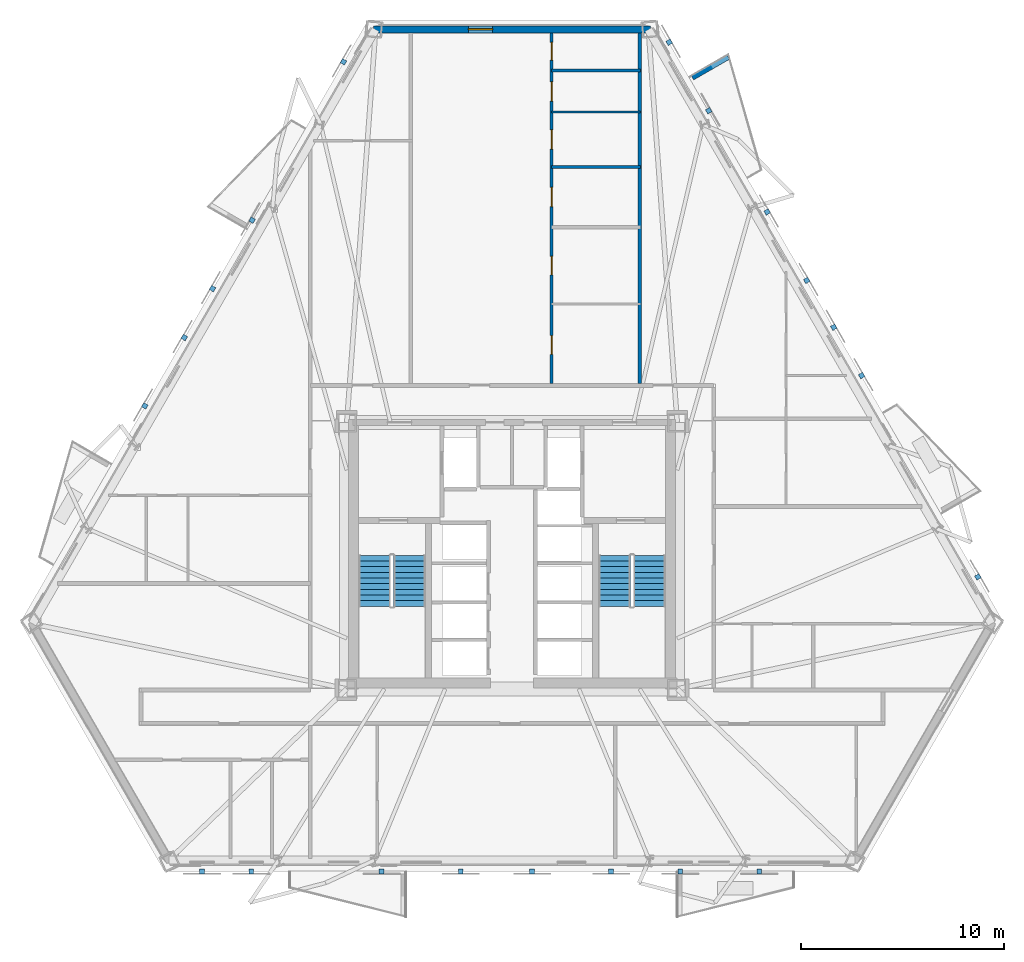
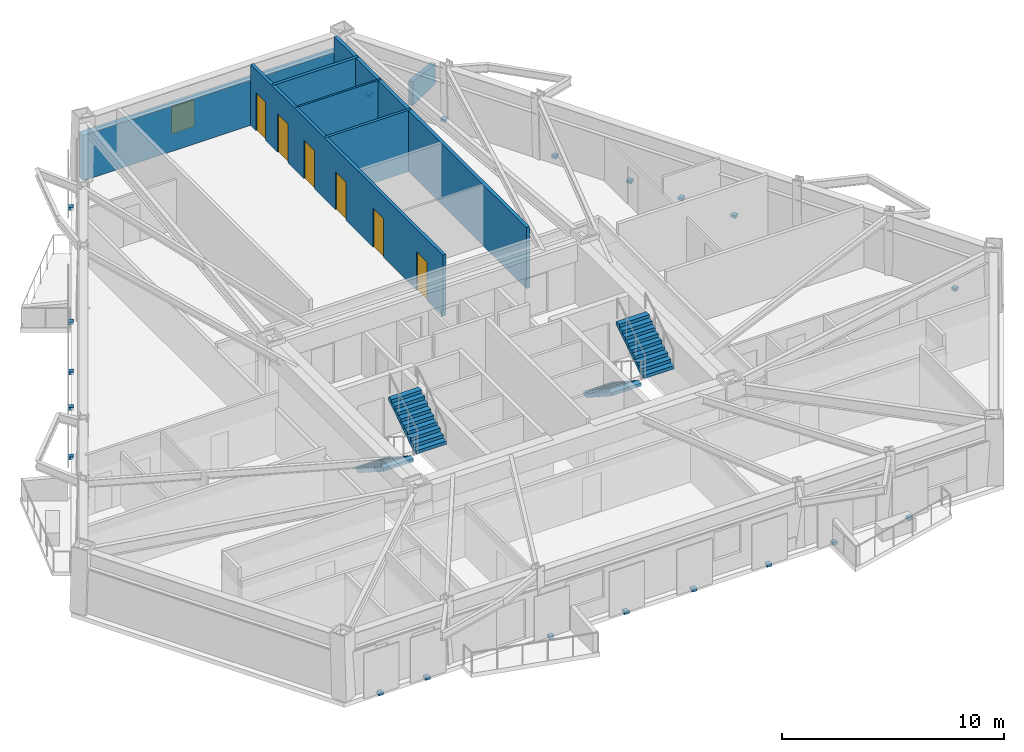
# One storey, part 6 of 10: 20 discrete accessories, 7 walls, 6 doors, 4 stair flights, 1 window, 7 openings, 2 elements without a shape of their own.
"""IFC4 building model written with IfcOpenShell, lengths in metres."""

from ifc_helpers import new_model, si_unit, direction, frame, frame_2d, origin, origin_2d, place, context, subcontext, project, spatial, polyline, rectangle, outline, extrude, material, layer, layer_set, type_object, element, fill, aggregate, save


model = new_model("IFC4")

# Units and contexts
model_context = context("Model", 3, precision=1e-05, world=origin(), true_north=direction((0.0, 1.0)))
body_context = subcontext(model_context, "Body", "Model", "MODEL_VIEW")
ifc_project = project(units=[si_unit("LENGTHUNIT", "METRE"), si_unit("AREAUNIT", "SQUARE_METRE"), si_unit("VOLUMEUNIT", "CUBIC_METRE"), si_unit("PLANEANGLEUNIT", "RADIAN"), si_unit("MASSUNIT", "GRAM", prefix="KILO")], contexts=[model_context])

# Site, building, storey
site_placement = place(None, origin())
site = spatial("IfcSite", under=ifc_project, at=site_placement, CompositionType="ELEMENT")
building_placement = place(site_placement, origin())
building = spatial("IfcBuilding", under=site, at=building_placement, Name="Oramaril Tower", CompositionType="ELEMENT")
storey_placement = place(building_placement, frame((0.0, 0.0, 66.89990234375)))
storey = spatial("IfcBuildingStorey", under=building, at=storey_placement, Name="L17", CompositionType="ELEMENT", Elevation=66.89990234375)

# Wall, opening, window
ifc_material_1 = material(Name="Warm Cream Limestone", Category="masonry")
ifc_layer_1 = layer(ifc_material_1, 0.340087890625)
ifc_layer_set_1 = layer_set([ifc_layer_1], Name="WT-EXT34")
wall_type_1 = type_object("IfcWallType", Name="WT-EXT34", PredefinedType="SOLIDWALL", material=ifc_layer_set_1)
wall_1_placement = place(storey_placement, frame((44.330810546875, 43.537109375, 0.0), z_axis=(0.0, 0.0, 1.0), x_axis=(-1.0, 0.0, 0.0)))
wall_1 = element("IfcWall", 1, at=wall_1_placement, inside=storey, type_object=wall_type_1, Name="L17 Tower Limestone Facade Wall 5M", PredefinedType="SOLIDWALL", context=body_context, shape_type="SweptSolid", body=[
    extrude(rectangle(XDim=13.66162109375, YDim=0.340087890625, at=frame_2d((6.830810546875, 0.0))), origin(), (0.0, 0.0, 1.0), 2.494140625),
])
opening_1_placement = place(wall_1_placement, frame((7.7880859375, 0.0, 0.85009765625)))
opening_1 = element("IfcOpeningElement", 2, at=opening_1_placement, cuts=wall_1, Name="Opening WN-09", PredefinedType="OPENING", context=body_context, shape_type="SweptSolid", body=[
    extrude(rectangle(XDim=1.199951171875, YDim=1.47998046875, at=frame_2d((0.60009765625, 0.739990234375))), frame((0.0, 0.169921875, 0.0), z_axis=(0.0, -1.0, 0.0), x_axis=(1.0, 0.0, 0.0)), (0.0, 0.0, 1.0), 0.340087890625),
])
ifc_material_2 = material(Name="Coastal Low-E Insulated Glass", Category="glass")
window_type = type_object("IfcWindowType", Name="WNT-09", PartitioningType="SINGLE_PANEL", PredefinedType="WINDOW", material=ifc_material_2)
window_placement = place(opening_1_placement, origin())
window = element("IfcWindow", 3, at=window_placement, inside=storey, type_object=window_type, Name="L17 Apartment Bedroom Window WN-09", OverallHeight=1.47998046875, OverallWidth=1.199951171875, PartitioningType="SINGLE_PANEL", PredefinedType="WINDOW", context=body_context, shape_type="SweptSolid", body=[
    extrude(rectangle(XDim=1.199951171875, YDim=1.47998046875, at=frame_2d((0.60009765625, 0.739990234375))), frame((0.0, 0.030029296875, 0.0), z_axis=(0.0, -1.0, 0.0), x_axis=(1.0, 0.0, 0.0)), (0.0, 0.0, 1.0), 0.06005859375),
])
fill(opening_1, window)

# Walls
ifc_material_3 = material(Name="Concrete C40/50", Category="concrete")
ifc_layer_2 = layer(ifc_material_3, 0.22998046875)
ifc_layer_set_2 = layer_set([ifc_layer_2], Name="WT-PRP23")
wall_type_2 = type_object("IfcWallType", Name="WT-PRP23", PredefinedType="PARAPET", material=ifc_layer_set_2)
wall_2_placement = place(storey_placement, frame((46.40576171875, 41.138916015625, 0.0), z_axis=(0.0, 0.0, 1.0), x_axis=(0.866042246008, 0.499970827278, 0.0)))
element("IfcWall", 4, at=wall_2_placement, inside=storey, type_object=wall_type_2, Name="L17 Trapezoidal Balcony Frame Cheek L17-BAL-NE2-R", PredefinedType="PARAPET", context=body_context, shape_type="SweptSolid", body=[
    extrude(outline(polyline([(0.0, 0.0), (2.0419921875, 0.0), (2.0419921875, 1.10009765625), (0.0, 1.320068359375), (0.0, 0.0)])), frame((0.0, 0.114990234375, 0.0), z_axis=(0.0, -1.0, 0.0), x_axis=(1.0, 0.0, 0.0)), (0.0, 0.0, 1.0), 0.22998046875),
])
ifc_material_4 = material(Name="Acoustic Gypsum Board Partition")
ifc_layer_3 = layer(ifc_material_4, 0.10009765625)
ifc_layer_set_3 = layer_set([ifc_layer_3], Name="WT-PT10")
wall_type_3 = type_object("IfcWallType", Name="WT-PT10", PredefinedType="PARTITIONING", material=ifc_layer_set_3)
wall_3_placement = place(storey_placement, frame((39.449951171875, 39.449951171875, 0.0), z_axis=(0.0, 0.0, 1.0), x_axis=(1.0, 0.0, 0.0)))
element("IfcWall", 5, at=wall_3_placement, inside=storey, type_object=wall_type_3, Name="L17 Interior Partition PT-10", PredefinedType="PARTITIONING", context=body_context, shape_type="SweptSolid", body=[
    extrude(rectangle(XDim=4.400146484375, YDim=0.10009765625, at=frame_2d((2.2001953125, 0.0))), origin(), (0.0, 0.0, 1.0), 3.360107421875),
])
ifc_material_5 = material(Name="Acoustic Gypsum Board Partition")
ifc_layer_4 = layer(ifc_material_5, 0.139892578125)
ifc_layer_set_4 = layer_set([ifc_layer_4], Name="WT-PT14")
wall_type_4 = type_object("IfcWallType", Name="WT-PT14", PredefinedType="PARTITIONING", material=ifc_layer_set_4)
wall_4_placement = place(storey_placement, frame((39.449951171875, 36.75, 0.0), z_axis=(0.0, 0.0, 1.0), x_axis=(1.0, 0.0, 0.0)))
element("IfcWall", 6, at=wall_4_placement, inside=storey, type_object=wall_type_4, Name="L17 Interior Partition PT-14", PredefinedType="PARTITIONING", context=body_context, shape_type="SweptSolid", body=[
    extrude(rectangle(XDim=4.400146484375, YDim=0.139892578125, at=frame_2d((2.2001953125, 0.0))), origin(), (0.0, 0.0, 1.0), 3.360107421875),
])
ifc_material_6 = material(Name="Acoustic Gypsum Board Partition")
ifc_layer_5 = layer(ifc_material_6, 0.159912109375)
ifc_layer_set_5 = layer_set([ifc_layer_5], Name="WT-PT16")
wall_type_5 = type_object("IfcWallType", Name="WT-PT16", PredefinedType="PARTITIONING", material=ifc_layer_set_5)
wall_5_placement = place(storey_placement, frame((39.449951171875, 41.5, 0.0), z_axis=(0.0, 0.0, 1.0), x_axis=(1.0, 0.0, 0.0)))
element("IfcWall", 7, at=wall_5_placement, inside=storey, type_object=wall_type_5, Name="L17 Interior Partition PT-16", PredefinedType="PARTITIONING", context=body_context, shape_type="SweptSolid", body=[
    extrude(rectangle(XDim=4.400146484375, YDim=0.159912109375, at=frame_2d((2.2001953125, 0.0))), origin(), (0.0, 0.0, 1.0), 3.360107421875),
])

# Wall, openings, doors
wall_6_placement = place(storey_placement, frame((39.449951171875, 26.06396484375, 0.0), z_axis=(0.0, 0.0, 1.0), x_axis=(0.0, 1.0, 0.0)))
wall_6 = element("IfcWall", 8, at=wall_6_placement, inside=storey, type_object=wall_type_5, Name="L17 Interior Partition PT-16", PredefinedType="PARTITIONING", context=body_context, shape_type="SweptSolid", body=[
    extrude(rectangle(XDim=17.299072265625, YDim=0.159912109375, at=frame_2d((8.6494140625, 0.0))), origin(), (0.0, 0.0, 1.0), 3.360107421875),
])
opening_2_placement = place(wall_6_placement, frame((1.44189453125, 0.0, 0.0)))
opening_2 = element("IfcOpeningElement", 9, at=opening_2_placement, cuts=wall_6, Name="Opening D-L17-19", PredefinedType="OPENING", context=body_context, shape_type="SweptSolid", body=[
    extrude(rectangle(XDim=0.919921875, YDim=2.1201171875, at=frame_2d((0.4599609375, 1.06005859375))), frame((0.0, 0.080078125, 0.0), z_axis=(0.0, -1.0, 0.0), x_axis=(1.0, 0.0, 0.0)), (0.0, 0.0, 1.0), 0.159912109375),
])
opening_3_placement = place(wall_6_placement, frame((5.359130859375, 0.0, 0.0)))
opening_3 = element("IfcOpeningElement", 10, at=opening_3_placement, cuts=wall_6, Name="Opening D-L17-20", PredefinedType="OPENING", context=body_context, shape_type="SweptSolid", body=[
    extrude(rectangle(XDim=0.919921875, YDim=2.1201171875, at=frame_2d((0.4599609375, 1.06005859375))), frame((0.0, 0.080078125, 0.0), z_axis=(0.0, -1.0, 0.0), x_axis=(1.0, 0.0, 0.0)), (0.0, 0.0, 1.0), 0.159912109375),
])
opening_4_placement = place(wall_6_placement, frame((8.720947265625, 0.0, 0.0)))
opening_4 = element("IfcOpeningElement", 11, at=opening_4_placement, cuts=wall_6, Name="Opening D-L17-21", PredefinedType="OPENING", context=body_context, shape_type="SweptSolid", body=[
    extrude(rectangle(XDim=0.949951171875, YDim=2.10009765625, at=frame_2d((0.47509765625, 1.050048828125))), frame((0.0, 0.080078125, 0.0), z_axis=(0.0, -1.0, 0.0), x_axis=(1.0, 0.0, 0.0)), (0.0, 0.0, 1.0), 0.159912109375),
])
opening_5_placement = place(wall_6_placement, frame((11.557373046875, 0.0, 0.0)))
opening_5 = element("IfcOpeningElement", 12, at=opening_5_placement, cuts=wall_6, Name="Opening D-L17-22", PredefinedType="OPENING", context=body_context, shape_type="SweptSolid", body=[
    extrude(rectangle(XDim=0.949951171875, YDim=2.10009765625, at=frame_2d((0.47509765625, 1.050048828125))), frame((0.0, 0.080078125, 0.0), z_axis=(0.0, -1.0, 0.0), x_axis=(1.0, 0.0, 0.0)), (0.0, 0.0, 1.0), 0.159912109375),
])
opening_6_placement = place(wall_6_placement, frame((13.93310546875, 0.0, 0.0)))
opening_6 = element("IfcOpeningElement", 13, at=opening_6_placement, cuts=wall_6, Name="Opening D-L17-23", PredefinedType="OPENING", context=body_context, shape_type="SweptSolid", body=[
    extrude(rectangle(XDim=0.949951171875, YDim=2.10009765625, at=frame_2d((0.47509765625, 1.050048828125))), frame((0.0, 0.080078125, 0.0), z_axis=(0.0, -1.0, 0.0), x_axis=(1.0, 0.0, 0.0)), (0.0, 0.0, 1.0), 0.159912109375),
])
opening_7_placement = place(wall_6_placement, frame((15.953125, 0.0, 0.0)))
opening_7 = element("IfcOpeningElement", 14, at=opening_7_placement, cuts=wall_6, Name="Opening D-L17-24", PredefinedType="OPENING", context=body_context, shape_type="SweptSolid", body=[
    extrude(rectangle(XDim=0.8798828125, YDim=2.080078125, at=frame_2d((0.43994140625, 1.0400390625))), frame((0.0, 0.080078125, 0.0), z_axis=(0.0, -1.0, 0.0), x_axis=(1.0, 0.0, 0.0)), (0.0, 0.0, 1.0), 0.159912109375),
])
ifc_material_7 = material(Name="FSC Brazilian Freijo Hardwood", Category="wood")
door_type_1 = type_object("IfcDoorType", Name="DT-BATH", OperationType="NOTDEFINED", PredefinedType="DOOR", material=ifc_material_7)
door_1_placement = place(opening_7_placement, origin())
door_1 = element("IfcDoor", 15, at=door_1_placement, inside=storey, type_object=door_type_1, Name="L17 Flat L17-U8 Bathroom Door D-L17-24", OperationType="SINGLE_SWING_LEFT", OverallHeight=2.080078125, OverallWidth=0.8798828125, PredefinedType="DOOR", context=body_context, shape_type="SweptSolid", body=[
    extrude(rectangle(XDim=0.8798828125, YDim=2.080078125, at=frame_2d((0.43994140625, 1.0400390625))), frame((0.0, 0.02490234375, 0.0), z_axis=(0.0, -1.0, 0.0), x_axis=(1.0, 0.0, 0.0)), (0.0, 0.0, 1.0), 0.050048828125),
])
fill(opening_7, door_1)
ifc_material_8 = material(Name="FSC Brazilian Freijo Hardwood", Category="wood")
door_type_2 = type_object("IfcDoorType", Name="DT-BED", OperationType="NOTDEFINED", PredefinedType="DOOR", material=ifc_material_8)
door_2_placement = place(opening_2_placement, origin())
door_2 = element("IfcDoor", 16, at=door_2_placement, inside=storey, type_object=door_type_2, Name="L17 Flat L17-U8 Master Bedroom Door D-L17-19", OperationType="SINGLE_SWING_RIGHT", OverallHeight=2.1201171875, OverallWidth=0.919921875, PredefinedType="DOOR", context=body_context, shape_type="SweptSolid", body=[
    extrude(rectangle(XDim=0.919921875, YDim=2.1201171875, at=frame_2d((0.4599609375, 1.06005859375))), frame((0.0, 0.02490234375, 0.0), z_axis=(0.0, -1.0, 0.0), x_axis=(1.0, 0.0, 0.0)), (0.0, 0.0, 1.0), 0.050048828125),
])
fill(opening_2, door_2)
door_3_placement = place(opening_3_placement, origin())
door_3 = element("IfcDoor", 17, at=door_3_placement, inside=storey, type_object=door_type_2, Name="L17 Flat L17-U8 Bedroom 2 Door D-L17-20", OperationType="SINGLE_SWING_LEFT", OverallHeight=2.1201171875, OverallWidth=0.919921875, PredefinedType="DOOR", context=body_context, shape_type="SweptSolid", body=[
    extrude(rectangle(XDim=0.919921875, YDim=2.1201171875, at=frame_2d((0.4599609375, 1.06005859375))), frame((0.0, 0.02490234375, 0.0), z_axis=(0.0, -1.0, 0.0), x_axis=(1.0, 0.0, 0.0)), (0.0, 0.0, 1.0), 0.050048828125),
])
fill(opening_3, door_3)
ifc_material_9 = material(Name="FSC Brazilian Freijo Hardwood", Category="wood")
door_type_3 = type_object("IfcDoorType", Name="DT-STDY", OperationType="NOTDEFINED", PredefinedType="DOOR", material=ifc_material_9)
door_4_placement = place(opening_4_placement, origin())
door_4 = element("IfcDoor", 18, at=door_4_placement, inside=storey, type_object=door_type_3, Name="L17 Flat L17-U8 Breakfast Dining Room Door D-L17-21", OperationType="SINGLE_SWING_RIGHT", OverallHeight=2.10009765625, OverallWidth=0.949951171875, PredefinedType="DOOR", context=body_context, shape_type="SweptSolid", body=[
    extrude(rectangle(XDim=0.949951171875, YDim=2.10009765625, at=frame_2d((0.47509765625, 1.050048828125))), frame((0.0, 0.02490234375, 0.0), z_axis=(0.0, -1.0, 0.0), x_axis=(1.0, 0.0, 0.0)), (0.0, 0.0, 1.0), 0.050048828125),
])
fill(opening_4, door_4)
door_5_placement = place(opening_5_placement, origin())
door_5 = element("IfcDoor", 19, at=door_5_placement, inside=storey, type_object=door_type_3, Name="L17 Flat L17-U8 Private Dining Room Door D-L17-22", OperationType="SINGLE_SWING_LEFT", OverallHeight=2.10009765625, OverallWidth=0.949951171875, PredefinedType="DOOR", context=body_context, shape_type="SweptSolid", body=[
    extrude(rectangle(XDim=0.949951171875, YDim=2.10009765625, at=frame_2d((0.47509765625, 1.050048828125))), frame((0.0, 0.02490234375, 0.0), z_axis=(0.0, -1.0, 0.0), x_axis=(1.0, 0.0, 0.0)), (0.0, 0.0, 1.0), 0.050048828125),
])
fill(opening_5, door_5)
door_6_placement = place(opening_6_placement, origin())
door_6 = element("IfcDoor", 20, at=door_6_placement, inside=storey, type_object=door_type_3, Name="L17 Flat L17-U8 Kitchen Door D-L17-23", OperationType="SINGLE_SWING_RIGHT", OverallHeight=2.10009765625, OverallWidth=0.949951171875, PredefinedType="DOOR", context=body_context, shape_type="SweptSolid", body=[
    extrude(rectangle(XDim=0.949951171875, YDim=2.10009765625, at=frame_2d((0.47509765625, 1.050048828125))), frame((0.0, 0.02490234375, 0.0), z_axis=(0.0, -1.0, 0.0), x_axis=(1.0, 0.0, 0.0)), (0.0, 0.0, 1.0), 0.050048828125),
])
fill(opening_6, door_6)

# Wall
ifc_material_10 = material(Name="Autoclaved Cellular Concrete Block", Category="concrete")
ifc_layer_6 = layer(ifc_material_10, 0.179931640625)
ifc_layer_set_6 = layer_set([ifc_layer_6], Name="WT-PT18")
wall_type_6 = type_object("IfcWallType", Name="WT-PT18", PredefinedType="PARTITIONING", material=ifc_layer_set_6)
wall_7_placement = place(storey_placement, frame((43.800048828125, 26.06396484375, 0.0), z_axis=(0.0, 0.0, 1.0), x_axis=(0.0, 1.0, 0.0)))
element("IfcWall", 21, at=wall_7_placement, inside=storey, type_object=wall_type_6, Name="L17 Interior Partition PT-18", PredefinedType="PARTITIONING", context=body_context, shape_type="SweptSolid", body=[
    extrude(rectangle(XDim=17.299072265625, YDim=0.179931640625, at=frame_2d((8.6494140625, 0.0))), origin(), (0.0, 0.0, 1.0), 3.360107421875),
])

# Stair, stair flights
ifc_material_11 = material(Name="Concrete C50/60", Category="concrete")
stair_type = type_object("IfcStairType", Name="STT-DG-3600", PredefinedType="HALF_TURN_STAIR", material=ifc_material_11)
stair_1_placement = place(storey_placement, origin())
stair_1 = element("IfcStair", 22, at=stair_1_placement, inside=storey, type_object=stair_type, Name="L17 Protected PFP Exit Stair ST-1", PredefinedType="HALF_TURN_STAIR")
ifc_material_12 = material(Name="Concrete C50/60", Category="concrete")
stair_flight_type = type_object("IfcStairFlightType", Name="SFT-DG-3600", PredefinedType="STRAIGHT", material=ifc_material_12)
stair_flight_1_placement = place(storey_placement, frame((30.72998046875, 17.590087890625, 0.0), z_axis=(0.0, 0.0, 1.0), x_axis=(0.0, -1.0, 0.0)))
stair_flight_1 = element("IfcStairFlight", 23, at=stair_flight_1_placement, type_object=stair_flight_type, Name="ST-1 flight 1", NumberOfRisers=10, NumberOfTreads=9, PredefinedType="STRAIGHT", RiserHeight=0.18, TreadLength=0.28, context=body_context, shape_type="SweptSolid", body=[
    extrude(outline(polyline([(0.0, 0.0), (0.0, 0.179931640625), (0.280029296875, 0.179931640625), (0.280029296875, 0.360107421875), (0.56005859375, 0.360107421875), (0.56005859375, 0.5400390625), (0.840087890625, 0.5400390625), (0.840087890625, 0.719970703125), (1.1201171875, 0.719970703125), (1.1201171875, 0.89990234375), (1.39990234375, 0.89990234375), (1.39990234375, 1.080078125), (1.679931640625, 1.080078125), (1.679931640625, 1.260009765625), (1.9599609375, 1.260009765625), (1.9599609375, 1.43994140625), (2.239990234375, 1.43994140625), (2.239990234375, 1.6201171875), (2.52001953125, 1.6201171875), (2.52001953125, 1.800048828125), (2.52001953125, 1.44189453125), (0.277099609375, 0.0), (0.0, 0.0)])), frame((0.0, 0.780029296875, 0.0), z_axis=(0.0, -1.0, 0.0), x_axis=(1.0, 0.0, 0.0)), (0.0, 0.0, 1.0), 1.56005859375),
])
stair_flight_2_placement = place(storey_placement, frame((32.43994140625, 15.070068359375, 1.800048828125), z_axis=(0.0, 0.0, 1.0), x_axis=(0.0, 1.0, 0.0)))
stair_flight_2 = element("IfcStairFlight", 24, at=stair_flight_2_placement, type_object=stair_flight_type, Name="ST-1 flight 2", NumberOfRisers=10, NumberOfTreads=9, PredefinedType="STRAIGHT", RiserHeight=0.18, TreadLength=0.28, context=body_context, shape_type="SweptSolid", body=[
    extrude(outline(polyline([(0.0, 0.0), (0.0, 0.179931640625), (0.280029296875, 0.179931640625), (0.280029296875, 0.360107421875), (0.56005859375, 0.360107421875), (0.56005859375, 0.5400390625), (0.840087890625, 0.5400390625), (0.840087890625, 0.719970703125), (1.1201171875, 0.719970703125), (1.1201171875, 0.89990234375), (1.39990234375, 0.89990234375), (1.39990234375, 1.080078125), (1.679931640625, 1.080078125), (1.679931640625, 1.260009765625), (1.9599609375, 1.260009765625), (1.9599609375, 1.43994140625), (2.239990234375, 1.43994140625), (2.239990234375, 1.6201171875), (2.52001953125, 1.6201171875), (2.52001953125, 1.800048828125), (2.52001953125, 1.44189453125), (0.277099609375, 0.0), (0.0, 0.0)])), frame((0.0, 0.780029296875, 0.0), z_axis=(0.0, -1.0, 0.0), x_axis=(1.0, 0.0, 0.0)), (0.0, 0.0, 1.0), 1.56005859375),
])
aggregate(stair_1, [stair_flight_1, stair_flight_2])

stair_2_placement = place(storey_placement, origin())
stair_2 = element("IfcStair", 25, at=stair_2_placement, inside=storey, type_object=stair_type, Name="L17 Protected PFP Exit Stair ST-2", PredefinedType="HALF_TURN_STAIR")
stair_flight_3_placement = place(storey_placement, frame((42.56005859375, 17.590087890625, 0.0), z_axis=(0.0, 0.0, 1.0), x_axis=(0.0, -1.0, 0.0)))
stair_flight_3 = element("IfcStairFlight", 26, at=stair_flight_3_placement, type_object=stair_flight_type, Name="ST-2 flight 1", NumberOfRisers=10, NumberOfTreads=9, PredefinedType="STRAIGHT", RiserHeight=0.18, TreadLength=0.28, context=body_context, shape_type="SweptSolid", body=[
    extrude(outline(polyline([(0.0, 0.0), (0.0, 0.179931640625), (0.280029296875, 0.179931640625), (0.280029296875, 0.360107421875), (0.56005859375, 0.360107421875), (0.56005859375, 0.5400390625), (0.840087890625, 0.5400390625), (0.840087890625, 0.719970703125), (1.1201171875, 0.719970703125), (1.1201171875, 0.89990234375), (1.39990234375, 0.89990234375), (1.39990234375, 1.080078125), (1.679931640625, 1.080078125), (1.679931640625, 1.260009765625), (1.9599609375, 1.260009765625), (1.9599609375, 1.43994140625), (2.239990234375, 1.43994140625), (2.239990234375, 1.6201171875), (2.52001953125, 1.6201171875), (2.52001953125, 1.800048828125), (2.52001953125, 1.44189453125), (0.277099609375, 0.0), (0.0, 0.0)])), frame((0.0, 0.780029296875, 0.0), z_axis=(0.0, -1.0, 0.0), x_axis=(1.0, 0.0, 0.0)), (0.0, 0.0, 1.0), 1.56005859375),
])
stair_flight_4_placement = place(storey_placement, frame((44.27001953125, 15.070068359375, 1.800048828125), z_axis=(0.0, 0.0, 1.0), x_axis=(0.0, 1.0, 0.0)))
stair_flight_4 = element("IfcStairFlight", 27, at=stair_flight_4_placement, type_object=stair_flight_type, Name="ST-2 flight 2", NumberOfRisers=10, NumberOfTreads=9, PredefinedType="STRAIGHT", RiserHeight=0.18, TreadLength=0.28, context=body_context, shape_type="SweptSolid", body=[
    extrude(outline(polyline([(0.0, 0.0), (0.0, 0.179931640625), (0.280029296875, 0.179931640625), (0.280029296875, 0.360107421875), (0.56005859375, 0.360107421875), (0.56005859375, 0.5400390625), (0.840087890625, 0.5400390625), (0.840087890625, 0.719970703125), (1.1201171875, 0.719970703125), (1.1201171875, 0.89990234375), (1.39990234375, 0.89990234375), (1.39990234375, 1.080078125), (1.679931640625, 1.080078125), (1.679931640625, 1.260009765625), (1.9599609375, 1.260009765625), (1.9599609375, 1.43994140625), (2.239990234375, 1.43994140625), (2.239990234375, 1.6201171875), (2.52001953125, 1.6201171875), (2.52001953125, 1.800048828125), (2.52001953125, 1.44189453125), (0.277099609375, 0.0), (0.0, 0.0)])), frame((0.0, 0.780029296875, 0.0), z_axis=(0.0, -1.0, 0.0), x_axis=(1.0, 0.0, 0.0)), (0.0, 0.0, 1.0), 1.56005859375),
])
aggregate(stair_2, [stair_flight_3, stair_flight_4])

# Discrete accessories
for number, where, z_axis, x_axis, name in (
    (28, (31.069580078125, 1.98583984375, -0.1396484375), (0.0, 0.0, 1.0), (1.0, 0.0, 0.0), "L17 Solar Screen Slab Bracket"),
    (29, (34.9697265625, 1.98583984375, -0.1396484375), (0.0, 0.0, 1.0), (1.0, 0.0, 0.0), "L17 Solar Screen Slab Bracket"),
    (30, (38.4912109375, 1.98583984375, -0.1396484375), (0.0, 0.0, 1.0), (1.0, 0.0, 0.0), "L17 Solar Screen Slab Bracket"),
    (31, (42.391357421875, 1.98583984375, -0.1396484375), (0.0, 0.0, 1.0), (1.0, 0.0, 0.0), "L17 Solar Screen Slab Bracket"),
    (32, (45.801513671875, 1.98583984375, -0.1396484375), (0.0, 0.0, 1.0), (1.0, 0.0, 0.0), "L17 Solar Screen Slab Bracket"),
    (33, (49.6962890625, 1.98583984375, -0.1396484375), (0.0, 0.0, 1.0), (1.0, 0.0, 0.0), "L17 Solar Screen Slab Bracket"),
    (34, (22.20703125, 1.98583984375, -0.1396484375), (0.0, 0.0, 1.0), (1.0, 0.0, 0.0), "L17 Solar Screen Slab Bracket"),
    (35, (24.635009765625, 1.98583984375, -0.1396484375), (0.0, 0.0, 1.0), (1.0, 0.0, 0.0), "L17 Solar Screen Slab Bracket"),
    (36, (60.48095703125, 16.52392578125, -0.1396484375), (0.0, 0.0, 1.0), (-0.5, 0.866025403784, 0.0), "L17 Solar Screen Slab Bracket"),
    (37, (52.03662109375, 31.14990234375, -0.1396484375), (0.0, 0.0, 1.0), (-0.5, 0.866025403784, 0.0), "L17 Solar Screen Slab Bracket"),
    (38, (50.086669921875, 34.52734375, -0.1396484375), (0.0, 0.0, 1.0), (-0.5, 0.866025403784, 0.0), "L17 Solar Screen Slab Bracket"),
    (39, (47.203125, 39.52197265625, -0.1396484375), (0.0, 0.0, 1.0), (-0.5, 0.866025403784, 0.0), "L17 Solar Screen Slab Bracket"),
    (40, (45.253173828125, 42.8994140625, -0.1396484375), (0.0, 0.0, 1.0), (-0.5, 0.866025403784, 0.0), "L17 Solar Screen Slab Bracket"),
    (41, (54.7470703125, 26.45556640625, -0.1396484375), (0.0, 0.0, 1.0), (-0.5, 0.866025403784, 0.0), "L17 Solar Screen Slab Bracket"),
    (42, (53.37109375, 28.838623046875, -0.1396484375), (0.0, 0.0, 1.0), (-0.5, 0.866025403784, 0.0), "L17 Solar Screen Slab Bracket"),
    (43, (24.67919921875, 34.12158203125, -0.1396484375), (0.0, 0.0, 1.0), (-0.5, -0.866025403784, 0.0), "L17 Solar Screen Slab Bracket"),
    (44, (22.72900390625, 30.744140625, -0.1396484375), (0.0, 0.0, 1.0), (-0.5, -0.866025403784, 0.0), "L17 Solar Screen Slab Bracket"),
    (45, (21.337890625, 28.334716796875, -0.1396484375), (0.0, 0.0, 1.0), (-0.5, -0.866025403784, 0.0), "L17 Solar Screen Slab Bracket"),
    (46, (19.387939453125, 24.957275390625, -0.1396484375), (0.0, 0.0, 1.0), (-0.5, -0.866025403784, 0.0), "L17 Solar Screen Slab Bracket"),
    (47, (29.18798828125, 41.931640625, -0.1396484375), (0.0, 0.0, 1.0), (-0.5, -0.866025403784, 0.0), "L17 Solar Screen Slab Bracket"),
):
    element("IfcDiscreteAccessory", number, at=place(storey_placement, frame(where, z_axis=z_axis, x_axis=x_axis)), inside=storey, Name=name, PredefinedType="BRACKET", context=body_context, shape_type="SweptSolid", body=[
        extrude(rectangle(XDim=0.239990234375, YDim=0.239990234375, at=origin_2d()), origin(), (0.0, 0.0, 1.0), 0.159912109375),
    ])

save(model, "model.ifc")
